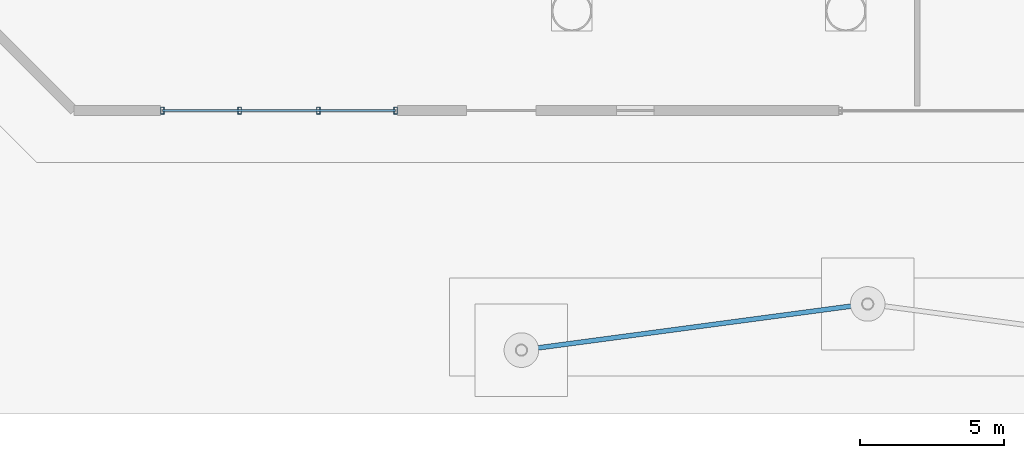
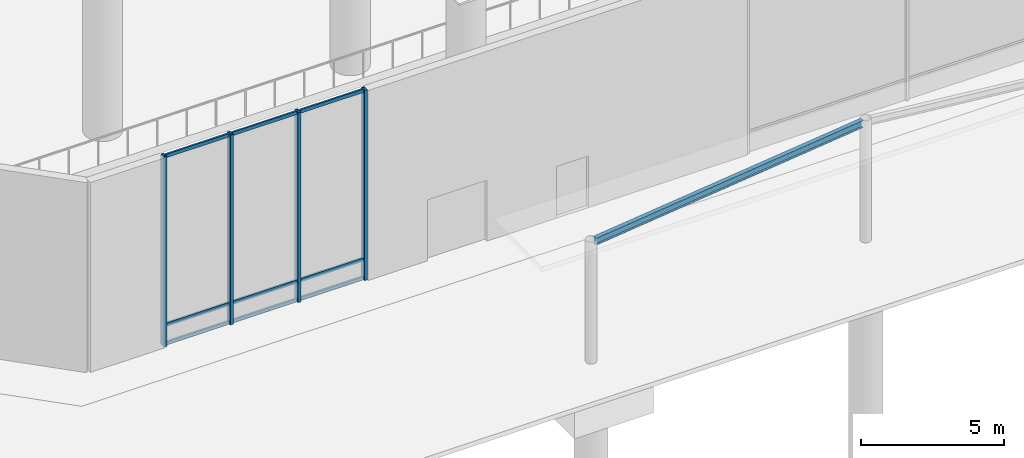
# One storey, part 7 of 28: 7 members, 1 beam, 1 element without a shape of its own.
"""IFC4 building model written with IfcOpenShell, lengths in metres."""

from ifc_helpers import new_model, si_unit, direction, frame, origin, origin_2d, place, context, subcontext, project, spatial, hollow_rectangle, i_section, extrude, material, layer, layer_set, material_profile, profile_set, type_object, element, aggregate, save


model = new_model("IFC4")

# Units and contexts
model_context = context("Model", 3, precision=1e-05, world=origin(), true_north=direction((0.0, 1.0)))
body_context = subcontext(model_context, "Body", "Model", "MODEL_VIEW")
ifc_project = project(units=[si_unit("LENGTHUNIT", "METRE"), si_unit("AREAUNIT", "SQUARE_METRE"), si_unit("VOLUMEUNIT", "CUBIC_METRE"), si_unit("PLANEANGLEUNIT", "RADIAN"), si_unit("MASSUNIT", "GRAM", prefix="KILO")], contexts=[model_context])

# Site, building, storey
site_placement = place(None, origin())
site = spatial("IfcSite", under=ifc_project, at=site_placement, CompositionType="ELEMENT")
building_placement = place(site_placement, origin())
building = spatial("IfcBuilding", under=site, at=building_placement, Name="Tavrogorsk Clinical Tower", CompositionType="ELEMENT")
storey_placement = place(building_placement, origin())
storey = spatial("IfcBuildingStorey", under=building, at=storey_placement, Name="L00", CompositionType="ELEMENT", Elevation=0.0)

# Beam
ifc_material_1 = material(Name="Structural steel S355", Category="steel")
ifc_material_profile_1 = material_profile(ifc_material_1, i_section(OverallWidth=0.1650390625, OverallDepth=0.300048828125, WebThickness=0.008544921875, FlangeThickness=0.012939453125, at=origin_2d()), Name="B-300x165x8.5x13")
ifc_profile_set_1 = profile_set([ifc_material_profile_1], Name="Structural steel S355")
beam_type = type_object("IfcBeamType", Name="CanopyBeam_B300", PredefinedType="BEAM", material=ifc_profile_set_1)
beam_placement = place(storey_placement, frame((-23.84130859375, -41.27880859375, 5.050048828125), z_axis=(0.991228624317, 0.132158292718, 0.0), x_axis=(-0.132158292718, 0.991228624317, 0.0)))
element("IfcBeam", 1, at=beam_placement, inside=storey, type_object=beam_type, Name="Ambulance Canopy Beam 1", PredefinedType="BEAM", context=body_context, shape_type="SweptSolid", body=[
    extrude(i_section(OverallWidth=0.1650390625, OverallDepth=0.300048828125, WebThickness=0.008544921875, FlangeThickness=0.012939453125, at=origin_2d()), origin(), (0.0, 0.0, 1.0), 11.785888671875),
])

# Curtain wall, members
ifc_material_2 = material(Name="Anodised aluminium and triple IGU glazing", Category="aluminium")
ifc_layer = layer(ifc_material_2, 0.179931640625)
ifc_layer_set = layer_set([ifc_layer], Name="Anodised aluminium and triple IGU glazing")
curtain_wall_type = type_object("IfcCurtainWallType", Name="CW1_LobbyStick", PredefinedType="NOTDEFINED", material=ifc_layer_set)
curtain_wall_placement = place(storey_placement, origin())
curtain_wall = element("IfcCurtainWall", 2, at=curtain_wall_placement, inside=storey, type_object=curtain_wall_type, Name="L00 Curtain Wall CW-L00-S2", PredefinedType="NOTDEFINED")
ifc_material_3 = material(Name="Anodised aluminium alloy AW-6060", Category="aluminium")
ifc_material_profile_2 = material_profile(ifc_material_3, hollow_rectangle(XDim=0.1201171875, YDim=0.239990234375, WallThickness=0.008056640625, at=origin_2d()), Name="RHS-240x120x8")
ifc_profile_set_2 = profile_set([ifc_material_profile_2], Name="Anodised aluminium alloy AW-6060")
member_type_1 = type_object("IfcMemberType", Name="CwMullion_240x120", PredefinedType="MULLION", material=ifc_profile_set_2)
member_1_placement = place(storey_placement, frame((-36.444091796875, -33.0, 0.0), z_axis=(0.0, 0.0, 1.0), x_axis=(1.0, 0.0, 0.0)))
member_1 = element("IfcMember", 3, at=member_1_placement, type_object=member_type_1, Name="CW-L00-S2 Mullion 1", PredefinedType="MULLION", context=body_context, shape_type="SweptSolid", body=[
    extrude(hollow_rectangle(XDim=0.1201171875, YDim=0.239990234375, WallThickness=0.008056640625, at=origin_2d()), origin(), (0.0, 0.0, 1.0), 8.10009765625),
])
member_2_placement = place(storey_placement, frame((-33.76806640625, -33.0, 0.0), z_axis=(0.0, 0.0, 1.0), x_axis=(1.0, 0.0, 0.0)))
member_2 = element("IfcMember", 4, at=member_2_placement, type_object=member_type_1, Name="CW-L00-S2 Mullion 2", PredefinedType="MULLION", context=body_context, shape_type="SweptSolid", body=[
    extrude(hollow_rectangle(XDim=0.1201171875, YDim=0.239990234375, WallThickness=0.008056640625, at=origin_2d()), origin(), (0.0, 0.0, 1.0), 8.10009765625),
])
member_3_placement = place(storey_placement, frame((-31.031982421875, -33.0, 0.0), z_axis=(0.0, 0.0, 1.0), x_axis=(1.0, 0.0, 0.0)))
member_3 = element("IfcMember", 5, at=member_3_placement, type_object=member_type_1, Name="CW-L00-S2 Mullion 3", PredefinedType="MULLION", context=body_context, shape_type="SweptSolid", body=[
    extrude(hollow_rectangle(XDim=0.1201171875, YDim=0.239990234375, WallThickness=0.008056640625, at=origin_2d()), origin(), (0.0, 0.0, 1.0), 8.10009765625),
])
member_4_placement = place(storey_placement, frame((-28.35595703125, -33.0, 0.0), z_axis=(0.0, 0.0, 1.0), x_axis=(1.0, 0.0, 0.0)))
member_4 = element("IfcMember", 6, at=member_4_placement, type_object=member_type_1, Name="CW-L00-S2 Mullion 4", PredefinedType="MULLION", context=body_context, shape_type="SweptSolid", body=[
    extrude(hollow_rectangle(XDim=0.1201171875, YDim=0.239990234375, WallThickness=0.008056640625, at=origin_2d()), origin(), (0.0, 0.0, 1.0), 8.10009765625),
])
ifc_material_4 = material(Name="Anodised aluminium alloy AW-6060", Category="aluminium")
ifc_material_profile_3 = material_profile(ifc_material_4, hollow_rectangle(XDim=0.074951171875, YDim=0.14990234375, WallThickness=0.0048828125, at=origin_2d()), Name="RHS-150x75x5")
ifc_profile_set_3 = profile_set([ifc_material_profile_3], Name="Anodised aluminium alloy AW-6060")
member_type_2 = type_object("IfcMemberType", Name="CwTransom_150x75", PredefinedType="USERDEFINED", material=ifc_profile_set_3)
member_5_placement = place(storey_placement, frame((-36.444091796875, -33.0, 0.050048828125), z_axis=(1.0, 0.0, 0.0), x_axis=(0.0, 1.0, 0.0)))
member_5 = element("IfcMember", 7, at=member_5_placement, type_object=member_type_2, Name="CW-L00-S2 Transom 1", ObjectType="TRANSOM", PredefinedType="USERDEFINED", context=body_context, shape_type="SweptSolid", body=[
    extrude(hollow_rectangle(XDim=0.074951171875, YDim=0.14990234375, WallThickness=0.0048828125, at=origin_2d()), origin(), (0.0, 0.0, 1.0), 8.088134765625),
])
member_6_placement = place(storey_placement, frame((-36.444091796875, -33.0, 0.85009765625), z_axis=(1.0, 0.0, 0.0), x_axis=(0.0, 1.0, 0.0)))
member_6 = element("IfcMember", 8, at=member_6_placement, type_object=member_type_2, Name="CW-L00-S2 Transom 2", ObjectType="TRANSOM", PredefinedType="USERDEFINED", context=body_context, shape_type="SweptSolid", body=[
    extrude(hollow_rectangle(XDim=0.074951171875, YDim=0.14990234375, WallThickness=0.0048828125, at=origin_2d()), origin(), (0.0, 0.0, 1.0), 8.088134765625),
])
member_7_placement = place(storey_placement, frame((-36.444091796875, -33.0, 8.050048828125), z_axis=(1.0, 0.0, 0.0), x_axis=(0.0, 1.0, 0.0)))
member_7 = element("IfcMember", 9, at=member_7_placement, type_object=member_type_2, Name="CW-L00-S2 Transom 3", ObjectType="TRANSOM", PredefinedType="USERDEFINED", context=body_context, shape_type="SweptSolid", body=[
    extrude(hollow_rectangle(XDim=0.074951171875, YDim=0.14990234375, WallThickness=0.0048828125, at=origin_2d()), origin(), (0.0, 0.0, 1.0), 8.088134765625),
])
aggregate(curtain_wall, [member_1, member_2, member_3, member_4, member_5, member_6, member_7])

save(model, "model.ifc")
